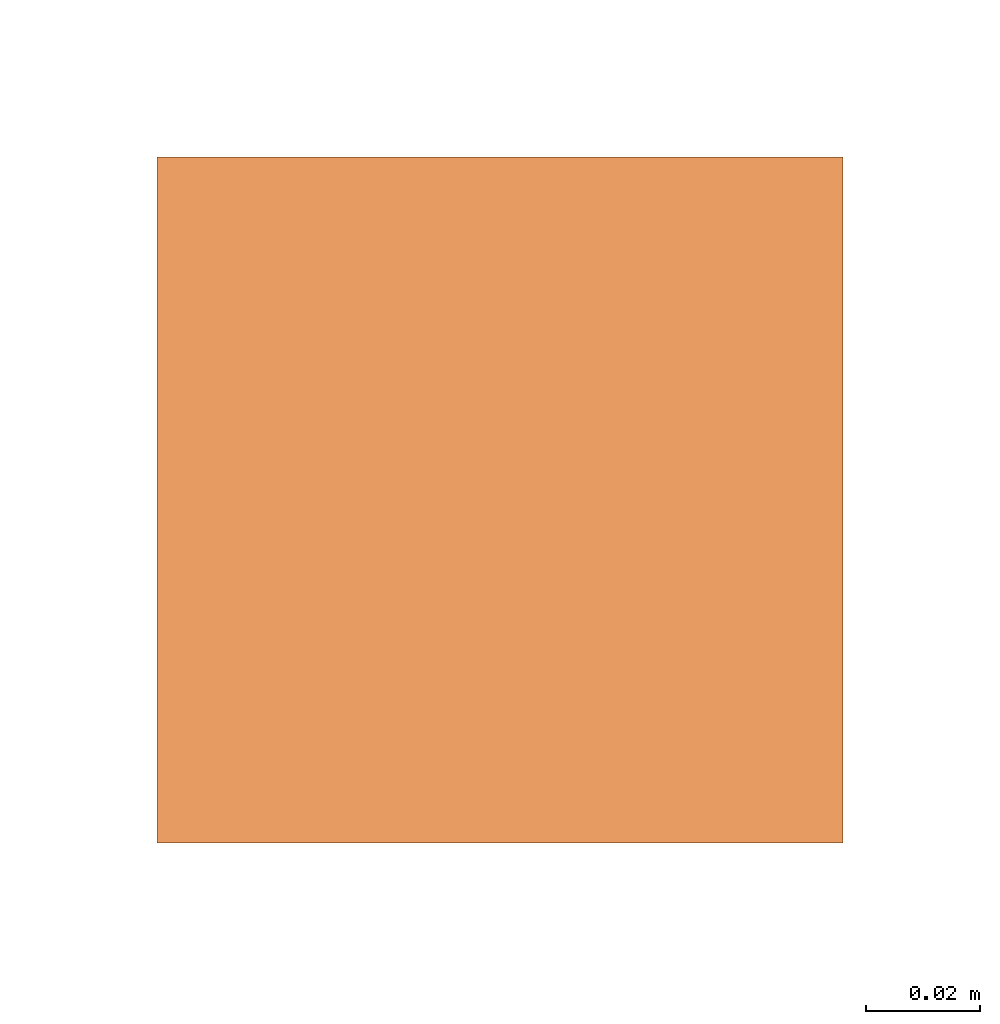
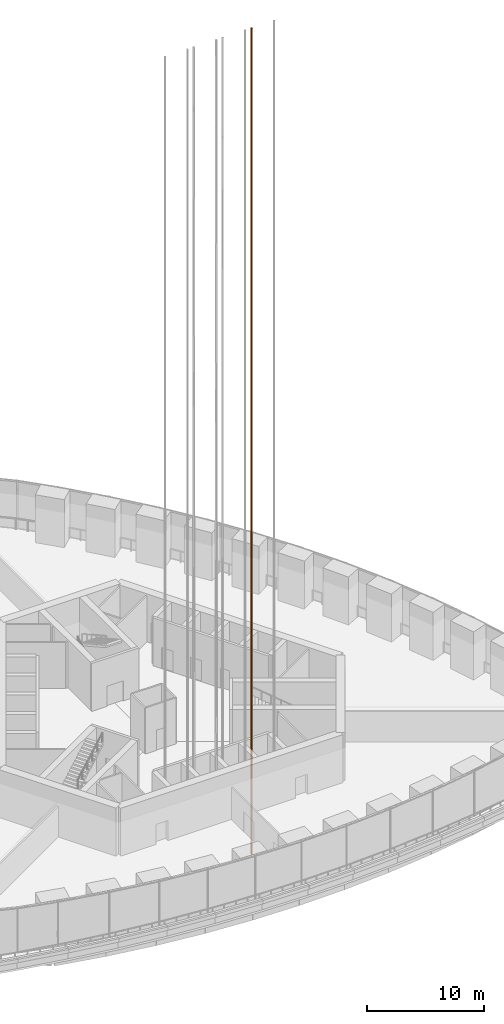
# One storey, part 30 of 31: 1 proxy.
"""IFC4 building model written with IfcOpenShell, lengths in metres."""

from ifc_helpers import new_model, si_unit, direction, frame, origin, origin_2d, place, context, subcontext, project, spatial, rectangle, extrude, element, save


model = new_model("IFC4")

# Units and contexts
model_context = context("Model", 3, precision=1e-05, world=origin(), true_north=direction((0.0, 1.0)))
body_context = subcontext(model_context, "Body", "Model", "MODEL_VIEW")
ifc_project = project(units=[si_unit("LENGTHUNIT", "METRE"), si_unit("AREAUNIT", "SQUARE_METRE"), si_unit("VOLUMEUNIT", "CUBIC_METRE"), si_unit("PLANEANGLEUNIT", "RADIAN"), si_unit("MASSUNIT", "GRAM", prefix="KILO")], contexts=[model_context])

# Site, building, storey
site_placement = place(None, origin())
site = spatial("IfcSite", under=ifc_project, at=site_placement, CompositionType="ELEMENT")
building_placement = place(site_placement, origin())
building = spatial("IfcBuilding", under=site, at=building_placement, Name="Trefoil Bronze Tower", CompositionType="ELEMENT")
storey_placement = place(building_placement, frame((0.0, 0.0, 184.699951171875)))
storey = spatial("IfcBuildingStorey", under=building, at=storey_placement, Name="L42", CompositionType="ELEMENT", Elevation=184.699951171875)

# Proxy
proxy_placement = place(storey_placement, frame((3.1650390625, -11.3125, -6.0), z_axis=(0.0, 0.0, 1.0), x_axis=(1.0, 0.0, 0.0)))
element("IfcBuildingElementProxy", 1, at=proxy_placement, inside=storey, Name="Lift P34 guide rail 1", ObjectType="LIFT GUIDE RAIL", PredefinedType="USERDEFINED", context=body_context, shape_type="SweptSolid", body=[
    extrude(rectangle(XDim=0.1201171875, YDim=0.1201171875, at=origin_2d()), origin(), (0.0, 0.0, 1.0), 86.25),
])

save(model, "model.ifc")
